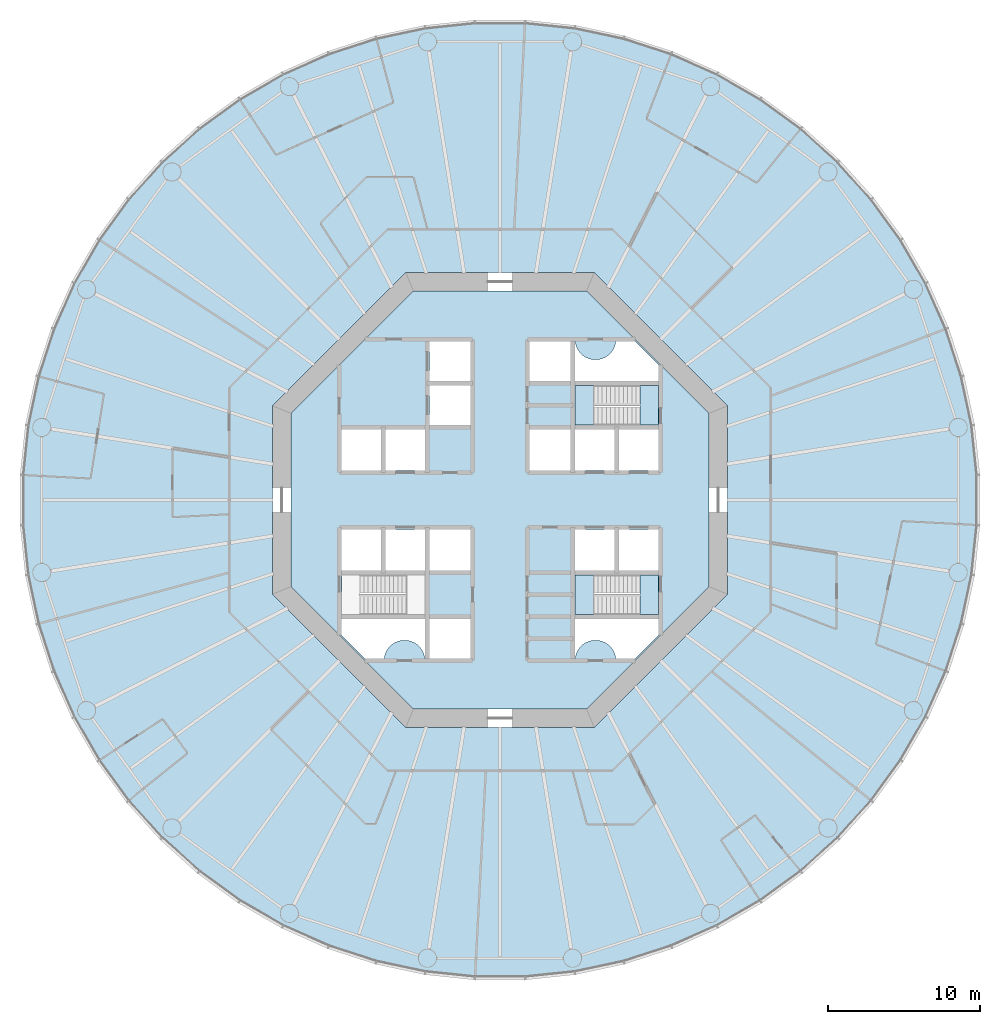
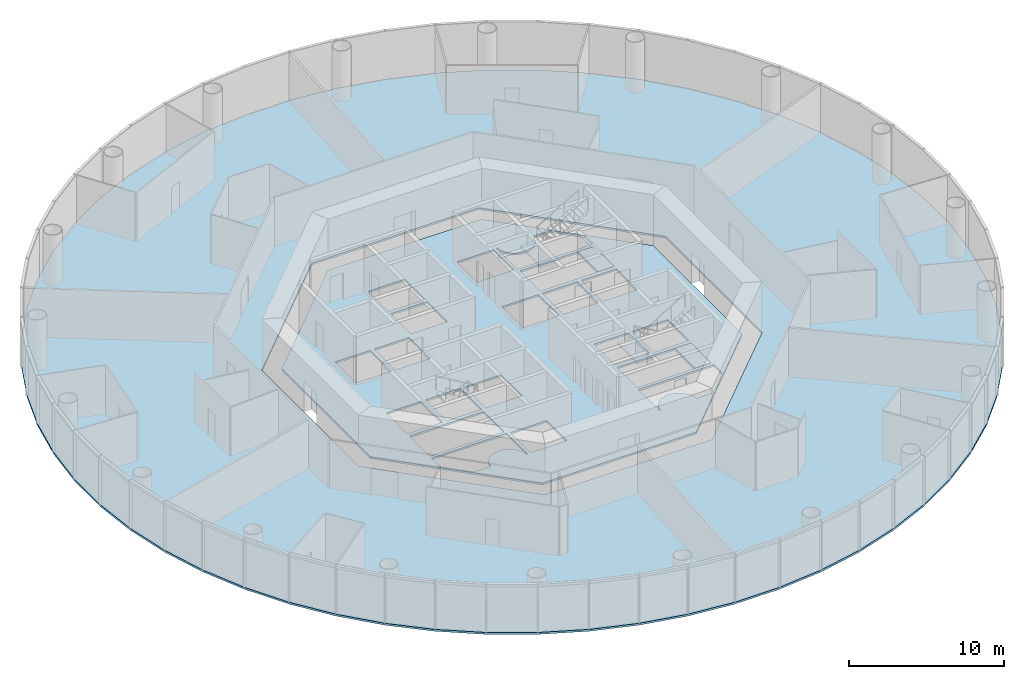
# One storey, part 2 of 13: 6 slabs, 2 elements without a shape of their own.
"""IFC4 building model written with IfcOpenShell, lengths in metres."""

from ifc_helpers import new_model, si_unit, direction, frame, origin, place, context, subcontext, project, spatial, polyline, outline, extrude, material, layer, layer_set, type_object, element, aggregate, save


model = new_model("IFC4")

# Units and contexts
model_context = context("Model", 3, precision=1e-05, world=origin(), true_north=direction((0.0, 1.0)))
body_context = subcontext(model_context, "Body", "Model", "MODEL_VIEW")
ifc_project = project(units=[si_unit("LENGTHUNIT", "METRE"), si_unit("AREAUNIT", "SQUARE_METRE"), si_unit("VOLUMEUNIT", "CUBIC_METRE"), si_unit("PLANEANGLEUNIT", "RADIAN"), si_unit("MASSUNIT", "GRAM", prefix="KILO")], contexts=[model_context])

# Site, building, storey
site_placement = place(None, origin())
site = spatial("IfcSite", under=ifc_project, at=site_placement, CompositionType="ELEMENT")
building_placement = place(site_placement, origin())
building = spatial("IfcBuilding", under=site, at=building_placement, Name="Entoto Ring Tower", CompositionType="ELEMENT")
storey_placement = place(building_placement, frame((0.0, 0.0, 88.0)))
storey = spatial("IfcBuildingStorey", under=building, at=storey_placement, Name="L19", CompositionType="ELEMENT", Elevation=88.0)

# Slabs
ifc_material_1 = material(Name="Concrete C30/37", Category="concrete")
ifc_layer_1 = layer(ifc_material_1, 0.14990234375)
ifc_layer_set_1 = layer_set([ifc_layer_1], Name="Concrete C30/37")
slab_type_1 = type_object("IfcSlabType", Name="Composite floor slab 150 mm", PredefinedType="FLOOR", material=ifc_layer_set_1)
slab_1_placement = place(storey_placement, frame((0.0, 0.0, -0.14990234375)))
element("IfcSlab", 1, at=slab_1_placement, inside=storey, type_object=slab_type_1, Name="Floor slab L19", PredefinedType="FLOOR", context=body_context, shape_type="SweptSolid", body=[
    extrude(outline(polyline([(121.2109375, 84.943359375), (120.523193359375, 88.1787109375), (119.501220703125, 91.324462890625), (118.15576171875, 94.34619140625), (116.501953125, 97.210693359375), (114.557861328125, 99.886474609375), (112.344482421875, 102.344482421875), (109.886474609375, 104.557861328125), (107.210693359375, 106.501953125), (104.34619140625, 108.15576171875), (101.324462890625, 109.501220703125), (98.1787109375, 110.523193359375), (94.943359375, 111.2109375), (91.65380859375, 111.556640625), (88.34619140625, 111.556640625), (85.056640625, 111.2109375), (81.8212890625, 110.523193359375), (78.675537109375, 109.501220703125), (75.65380859375, 108.15576171875), (72.789306640625, 106.501953125), (70.113525390625, 104.557861328125), (67.655517578125, 102.344482421875), (65.442138671875, 99.886474609375), (63.498046875, 97.210693359375), (61.84423828125, 94.34619140625), (60.498779296875, 91.324462890625), (59.476806640625, 88.1787109375), (58.7890625, 84.943359375), (58.443359375, 81.65380859375), (58.443359375, 78.34619140625), (58.7890625, 75.056640625), (59.476806640625, 71.8212890625), (60.498779296875, 68.675537109375), (61.84423828125, 65.65380859375), (63.498046875, 62.789306640625), (65.442138671875, 60.113525390625), (67.655517578125, 57.655517578125), (70.113525390625, 55.442138671875), (72.789306640625, 53.498046875), (75.65380859375, 51.84423828125), (78.675537109375, 50.498779296875), (81.8212890625, 49.476806640625), (85.056640625, 48.7890625), (88.34619140625, 48.443359375), (91.65380859375, 48.443359375), (94.943359375, 48.7890625), (98.1787109375, 49.476806640625), (101.324462890625, 50.498779296875), (104.34619140625, 51.84423828125), (107.210693359375, 53.498046875), (109.886474609375, 55.442138671875), (112.344482421875, 57.655517578125), (114.557861328125, 60.113525390625), (116.501953125, 62.789306640625), (118.15576171875, 65.65380859375), (119.501220703125, 68.675537109375), (120.523193359375, 71.8212890625), (121.2109375, 75.056640625), (121.556640625, 78.34619140625), (121.556640625, 81.65380859375), (121.2109375, 84.943359375)]), holes=[polyline([(105.0, 73.786865234375), (105.0, 86.213134765625), (96.213134765625, 95.0), (83.786865234375, 95.0), (75.0, 86.213134765625), (75.0, 73.786865234375), (83.786865234375, 65.0), (96.213134765625, 65.0), (105.0, 73.786865234375)])]), origin(), (0.0, 0.0, 1.0), 0.14990234375),
])
ifc_material_2 = material(Name="Concrete C40/50", Category="concrete")
ifc_layer_2 = layer(ifc_material_2, 0.14990234375)
ifc_layer_set_2 = layer_set([ifc_layer_2], Name="Concrete C40/50")
slab_type_2 = type_object("IfcSlabType", Name="Core floor slab 150 mm reinforced concrete C40/50", PredefinedType="FLOOR", material=ifc_layer_set_2)
slab_2_placement = place(storey_placement, frame((0.0, 0.0, -0.14990234375)))
element("IfcSlab", 2, at=slab_2_placement, inside=storey, type_object=slab_type_2, Name="Core floor L19", PredefinedType="FLOOR", context=body_context, shape_type="SweptSolid", body=[
    extrude(outline(polyline([(103.800048828125, 74.283935546875), (103.800048828125, 85.716064453125), (95.716064453125, 93.800048828125), (84.283935546875, 93.800048828125), (76.199951171875, 85.716064453125), (76.199951171875, 74.283935546875), (84.283935546875, 66.199951171875), (95.716064453125, 66.199951171875), (103.800048828125, 74.283935546875)]), holes=[polyline([(100.449951171875, 84.949951171875), (100.449951171875, 87.550048828125), (94.949951171875, 87.550048828125), (94.949951171875, 84.949951171875), (100.449951171875, 84.949951171875)]), polyline([(85.050048828125, 72.449951171875), (85.050048828125, 75.050048828125), (79.550048828125, 75.050048828125), (79.550048828125, 72.449951171875), (85.050048828125, 72.449951171875)]), polyline([(100.449951171875, 72.449951171875), (100.449951171875, 75.050048828125), (94.949951171875, 75.050048828125), (94.949951171875, 72.449951171875), (100.449951171875, 72.449951171875)]), polyline([(94.949951171875, 81.949951171875), (97.550048828125, 81.949951171875), (97.550048828125, 84.64990234375), (94.949951171875, 84.64990234375), (94.949951171875, 81.949951171875)]), polyline([(97.85009765625, 81.949951171875), (100.449951171875, 81.949951171875), (100.449951171875, 84.64990234375), (97.85009765625, 84.64990234375), (97.85009765625, 81.949951171875)]), polyline([(82.449951171875, 81.949951171875), (85.050048828125, 81.949951171875), (85.050048828125, 84.64990234375), (82.449951171875, 84.64990234375), (82.449951171875, 81.949951171875)]), polyline([(94.949951171875, 75.35009765625), (97.550048828125, 75.35009765625), (97.550048828125, 78.050048828125), (94.949951171875, 78.050048828125), (94.949951171875, 75.35009765625)]), polyline([(97.85009765625, 75.35009765625), (100.449951171875, 75.35009765625), (100.449951171875, 78.050048828125), (97.85009765625, 78.050048828125), (97.85009765625, 75.35009765625)]), polyline([(82.449951171875, 75.35009765625), (85.050048828125, 75.35009765625), (85.050048828125, 78.050048828125), (82.449951171875, 78.050048828125), (82.449951171875, 75.35009765625)]), polyline([(79.550048828125, 81.949951171875), (82.14990234375, 81.949951171875), (82.14990234375, 84.64990234375), (79.550048828125, 84.64990234375), (79.550048828125, 81.949951171875)]), polyline([(79.550048828125, 75.35009765625), (82.14990234375, 75.35009765625), (82.14990234375, 78.050048828125), (79.550048828125, 78.050048828125), (79.550048828125, 75.35009765625)]), polyline([(91.949951171875, 87.85009765625), (94.64990234375, 87.85009765625), (94.64990234375, 90.449951171875), (91.949951171875, 90.449951171875), (91.949951171875, 87.85009765625)]), polyline([(85.35009765625, 69.550048828125), (88.050048828125, 69.550048828125), (88.050048828125, 72.14990234375), (85.35009765625, 72.14990234375), (85.35009765625, 69.550048828125)]), polyline([(91.949951171875, 81.949951171875), (94.64990234375, 81.949951171875), (94.64990234375, 84.64990234375), (91.949951171875, 84.64990234375), (91.949951171875, 81.949951171875)]), polyline([(85.35009765625, 75.35009765625), (88.050048828125, 75.35009765625), (88.050048828125, 78.050048828125), (85.35009765625, 78.050048828125), (85.35009765625, 75.35009765625)]), polyline([(85.35009765625, 84.949951171875), (88.050048828125, 84.949951171875), (88.050048828125, 87.550048828125), (85.35009765625, 87.550048828125), (85.35009765625, 84.949951171875)]), polyline([(85.35009765625, 87.85009765625), (88.050048828125, 87.85009765625), (88.050048828125, 90.449951171875), (85.35009765625, 90.449951171875), (85.35009765625, 87.85009765625)]), polyline([(94.89990234375, 90.5), (94.89990234375, 87.800048828125), (100.5, 87.800048828125), (100.5, 88.874755859375), (98.874755859375, 90.5), (97.64501953125, 90.5), (97.6435546875, 90.4677734375), (97.6240234375, 90.336669921875), (97.591796875, 90.2080078125), (97.547119140625, 90.08349609375), (97.490478515625, 89.963623046875), (97.422607421875, 89.85009765625), (97.343505859375, 89.74365234375), (97.254638671875, 89.6455078125), (97.156494140625, 89.556396484375), (97.050048828125, 89.4775390625), (96.936279296875, 89.409423828125), (96.816650390625, 89.352783203125), (96.69189453125, 89.30810546875), (96.5634765625, 89.27587890625), (96.432373046875, 89.256591796875), (96.300048828125, 89.25), (96.167724609375, 89.256591796875), (96.03662109375, 89.27587890625), (95.908203125, 89.30810546875), (95.783447265625, 89.352783203125), (95.66357421875, 89.409423828125), (95.550048828125, 89.4775390625), (95.443603515625, 89.556396484375), (95.345458984375, 89.6455078125), (95.25634765625, 89.74365234375), (95.177490234375, 89.85009765625), (95.109375, 89.963623046875), (95.052734375, 90.08349609375), (95.008056640625, 90.2080078125), (94.975830078125, 90.336669921875), (94.95654296875, 90.4677734375), (94.954833984375, 90.5), (94.89990234375, 90.5)]), polyline([(79.5, 71.125244140625), (81.125244140625, 69.5), (82.35498046875, 69.5), (82.3564453125, 69.5322265625), (82.3759765625, 69.663330078125), (82.408203125, 69.7919921875), (82.452880859375, 69.91650390625), (82.509521484375, 70.036376953125), (82.577392578125, 70.14990234375), (82.656494140625, 70.25634765625), (82.745361328125, 70.3544921875), (82.843505859375, 70.443603515625), (82.949951171875, 70.5224609375), (83.063720703125, 70.590576171875), (83.183349609375, 70.647216796875), (83.30810546875, 70.69189453125), (83.4365234375, 70.72412109375), (83.567626953125, 70.743408203125), (83.699951171875, 70.75), (83.832275390625, 70.743408203125), (83.96337890625, 70.72412109375), (84.091796875, 70.69189453125), (84.216552734375, 70.647216796875), (84.33642578125, 70.590576171875), (84.449951171875, 70.5224609375), (84.556396484375, 70.443603515625), (84.654541015625, 70.3544921875), (84.74365234375, 70.25634765625), (84.822509765625, 70.14990234375), (84.890625, 70.036376953125), (84.947265625, 69.91650390625), (84.991943359375, 69.7919921875), (85.024169921875, 69.663330078125), (85.04345703125, 69.5322265625), (85.045166015625, 69.5), (85.10009765625, 69.5), (85.10009765625, 72.199951171875), (79.5, 72.199951171875), (79.5, 71.125244140625)]), polyline([(97.64501953125, 69.5), (98.874755859375, 69.5), (100.5, 71.125244140625), (100.5, 72.199951171875), (94.89990234375, 72.199951171875), (94.89990234375, 69.5), (94.954833984375, 69.5), (94.95654296875, 69.5322265625), (94.975830078125, 69.663330078125), (95.008056640625, 69.7919921875), (95.052734375, 69.91650390625), (95.109375, 70.036376953125), (95.177490234375, 70.14990234375), (95.25634765625, 70.25634765625), (95.345458984375, 70.3544921875), (95.443603515625, 70.443603515625), (95.550048828125, 70.5224609375), (95.66357421875, 70.590576171875), (95.783447265625, 70.647216796875), (95.908203125, 70.69189453125), (96.03662109375, 70.72412109375), (96.167724609375, 70.743408203125), (96.300048828125, 70.75), (96.432373046875, 70.743408203125), (96.5634765625, 70.72412109375), (96.69189453125, 70.69189453125), (96.816650390625, 70.647216796875), (96.936279296875, 70.590576171875), (97.050048828125, 70.5224609375), (97.156494140625, 70.443603515625), (97.254638671875, 70.3544921875), (97.343505859375, 70.25634765625), (97.422607421875, 70.14990234375), (97.490478515625, 70.036376953125), (97.547119140625, 69.91650390625), (97.591796875, 69.7919921875), (97.6240234375, 69.663330078125), (97.6435546875, 69.5322265625), (97.64501953125, 69.5)])]), origin(), (0.0, 0.0, 1.0), 0.14990234375),
])

# Stair, slabs
ifc_material_3 = material(Name="Concrete C40/50", Category="concrete")
stair_type = type_object("IfcStairType", Name="Exit stair 1200 mm dog-leg reinforced concrete", PredefinedType="HALF_TURN_STAIR", material=ifc_material_3)
stair_1_placement = place(storey_placement, origin())
stair_1 = element("IfcStair", 3, at=stair_1_placement, inside=storey, type_object=stair_type, Name="Exit stair 1", PredefinedType="HALF_TURN_STAIR")
ifc_material_4 = material(Name="Concrete C40/50", Category="concrete")
ifc_layer_3 = layer(ifc_material_4, 0.199951171875)
ifc_layer_set_3 = layer_set([ifc_layer_3], Name="Concrete C40/50")
slab_type_3 = type_object("IfcSlabType", Name="Stair landing 200 mm reinforced concrete", PredefinedType="LANDING", material=ifc_layer_set_3)
slab_3_placement = place(storey_placement, frame((0.0, 0.0, -0.199951171875)))
slab_3 = element("IfcSlab", 4, at=slab_3_placement, type_object=slab_type_3, Name="ST1 landing 1", PredefinedType="LANDING", context=body_context, shape_type="SweptSolid", body=[
    extrude(outline(polyline([(100.449951171875, 84.949951171875), (100.449951171875, 87.550048828125), (99.25, 87.550048828125), (99.25, 84.949951171875), (100.449951171875, 84.949951171875)])), origin(), (0.0, 0.0, 1.0), 0.199951171875),
])
slab_4_placement = place(storey_placement, frame((0.0, 0.0, 1.800048828125)))
slab_4 = element("IfcSlab", 5, at=slab_4_placement, type_object=slab_type_3, Name="ST1 landing 2", PredefinedType="LANDING", context=body_context, shape_type="SweptSolid", body=[
    extrude(outline(polyline([(94.949951171875, 84.949951171875), (96.169921875, 84.949951171875), (96.169921875, 87.550048828125), (94.949951171875, 87.550048828125), (94.949951171875, 84.949951171875)])), origin(), (0.0, 0.0, 1.0), 0.199951171875),
])
aggregate(stair_1, [slab_3, slab_4])

stair_2_placement = place(storey_placement, origin())
stair_2 = element("IfcStair", 6, at=stair_2_placement, inside=storey, type_object=stair_type, Name="Exit stair 3", PredefinedType="HALF_TURN_STAIR")
slab_5_placement = place(storey_placement, frame((0.0, 0.0, -0.199951171875)))
slab_5 = element("IfcSlab", 7, at=slab_5_placement, type_object=slab_type_3, Name="ST3 landing 1", PredefinedType="LANDING", context=body_context, shape_type="SweptSolid", body=[
    extrude(outline(polyline([(100.449951171875, 72.449951171875), (100.449951171875, 75.050048828125), (99.25, 75.050048828125), (99.25, 72.449951171875), (100.449951171875, 72.449951171875)])), origin(), (0.0, 0.0, 1.0), 0.199951171875),
])
slab_6_placement = place(storey_placement, frame((0.0, 0.0, 1.800048828125)))
slab_6 = element("IfcSlab", 8, at=slab_6_placement, type_object=slab_type_3, Name="ST3 landing 2", PredefinedType="LANDING", context=body_context, shape_type="SweptSolid", body=[
    extrude(outline(polyline([(94.949951171875, 72.449951171875), (96.169921875, 72.449951171875), (96.169921875, 75.050048828125), (94.949951171875, 75.050048828125), (94.949951171875, 72.449951171875)])), origin(), (0.0, 0.0, 1.0), 0.199951171875),
])
aggregate(stair_2, [slab_5, slab_6])

save(model, "model.ifc")
